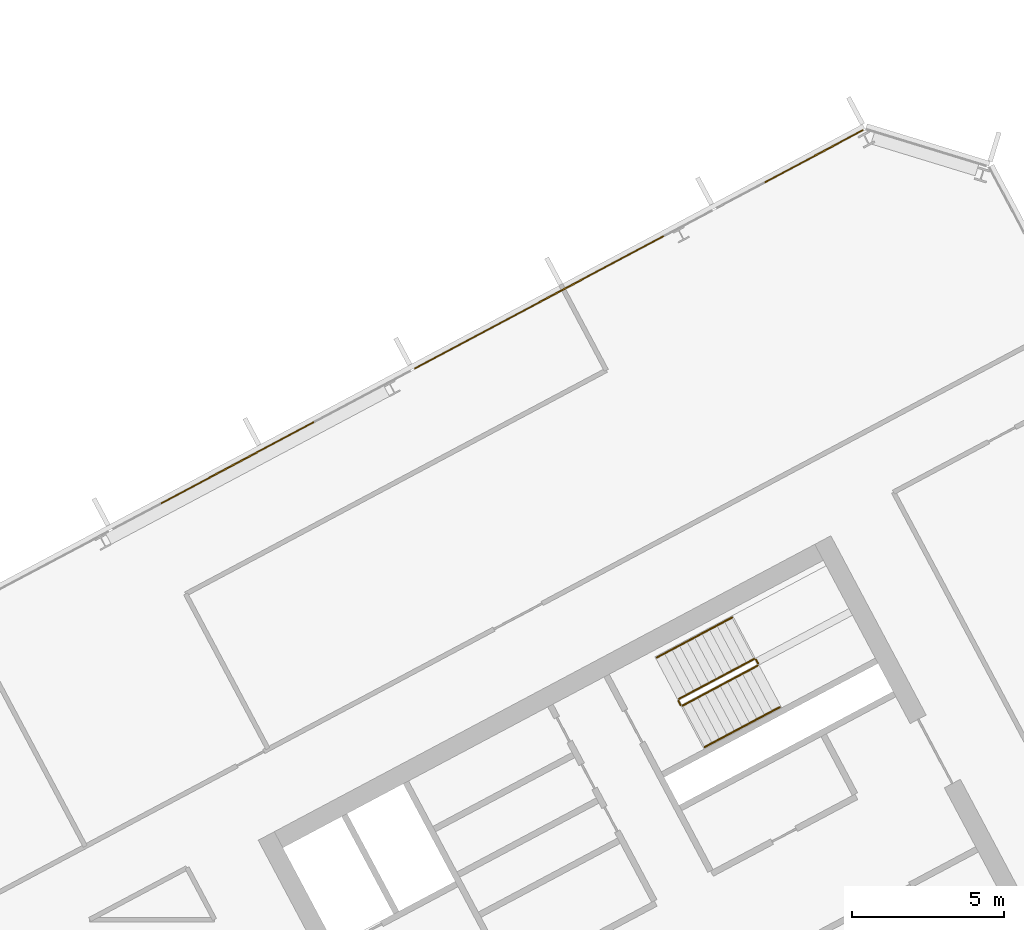
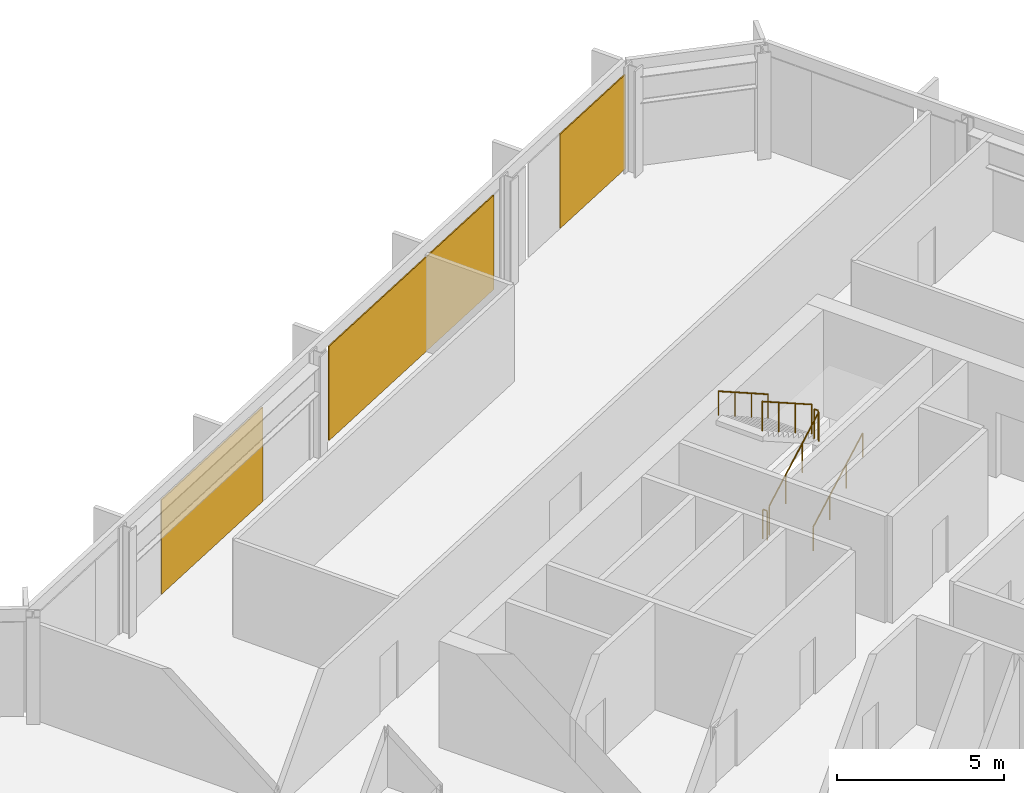
# One storey, part 26 of 27: 6 railings, 3 coverings, 1 element without a shape of its own.
"""IFC4 building model written with IfcOpenShell, lengths in metres."""

from ifc_helpers import new_model, si_unit, direction, frame, origin, origin_2d, place, context, subcontext, project, spatial, polyline, rectangle, outline, extrude, material, layer, layer_set, type_object, element, aggregate, save


model = new_model("IFC4")

# Units and contexts
model_context = context("Model", 3, precision=1e-05, world=origin(), true_north=direction((0.0, 1.0)))
body_context = subcontext(model_context, "Body", "Model", "MODEL_VIEW")
ifc_project = project(units=[si_unit("LENGTHUNIT", "METRE"), si_unit("AREAUNIT", "SQUARE_METRE"), si_unit("VOLUMEUNIT", "CUBIC_METRE"), si_unit("PLANEANGLEUNIT", "RADIAN"), si_unit("MASSUNIT", "GRAM", prefix="KILO")], contexts=[model_context])

# Site, building, storey
site_placement = place(None, origin())
site = spatial("IfcSite", under=ifc_project, at=site_placement, CompositionType="ELEMENT")
building_placement = place(site_placement, origin())
building = spatial("IfcBuilding", under=site, at=building_placement, Name="Cormorant Relay Tower", CompositionType="ELEMENT")
storey_placement = place(building_placement, frame((0.0, 0.0, 224.699951171875)))
storey = spatial("IfcBuildingStorey", under=building, at=storey_placement, Name="L49", CompositionType="ELEMENT", Elevation=224.699951171875)

# Curtain wall, coverings
ifc_material_1 = material(Name="Aluminium 6063-T6 anodised bronze", Category="aluminium")
ifc_layer_1 = layer(ifc_material_1, 0.199951171875)
ifc_layer_set_1 = layer_set([ifc_layer_1], Name="CW1 unitised bronze curtain wall with vertical fins")
curtain_wall_type = type_object("IfcCurtainWallType", Name="CW1 unitised bronze curtain wall with vertical fins", PredefinedType="NOTDEFINED", material=ifc_layer_set_1)
curtain_wall_placement = place(storey_placement, origin())
curtain_wall = element("IfcCurtainWall", 1, at=curtain_wall_placement, inside=storey, type_object=curtain_wall_type, Name="CW1 curtain wall 8", PredefinedType="NOTDEFINED")
ifc_material_2 = material(Name="Pale bronze anodised aluminium insulated panel", Category="aluminium")
ifc_layer_2 = layer(ifc_material_2, 0.0400390625)
ifc_layer_set_2 = layer_set([ifc_layer_2], Name="CW1 pale bronze insulated panel 40")
covering_type = type_object("IfcCoveringType", Name="CW1 pale bronze insulated panel 40", PredefinedType="CLADDING", material=ifc_layer_set_2)
covering_1_placement = place(storey_placement, frame((28.16943359375, 38.78466796875, 0.0), z_axis=(0.0, 0.0, 1.0), x_axis=(-0.882947592859, -0.469471562786, 0.0)))
covering_1 = element("IfcCovering", 2, at=covering_1_placement, type_object=covering_type, Name="CW1 panel S00", PredefinedType="CLADDING", context=body_context, shape_type="SweptSolid", body=[
    extrude(rectangle(XDim=3.68896484375, YDim=0.0400390625, at=origin_2d()), origin(), (0.0, 0.0, 1.0), 3.449951171875),
])
covering_2_placement = place(storey_placement, frame((19.11181640625, 33.968505859375, 0.0), z_axis=(0.0, 0.0, 1.0), x_axis=(-0.882947592859, -0.469471562786, 0.0)))
covering_2 = element("IfcCovering", 3, at=covering_2_placement, type_object=covering_type, Name="CW1 panel S03", PredefinedType="CLADDING", context=body_context, shape_type="SweptSolid", body=[
    extrude(rectangle(XDim=9.327880859375, YDim=0.0400390625, at=origin_2d()), origin(), (0.0, 0.0, 1.0), 3.449951171875),
])
covering_3_placement = place(storey_placement, frame((9.15380859375, 28.673828125, 0.0), z_axis=(0.0, 0.0, 1.0), x_axis=(-0.882947592859, -0.469471562786, 0.0)))
covering_3 = element("IfcCovering", 4, at=covering_3_placement, type_object=covering_type, Name="CW1 panel S05", PredefinedType="CLADDING", context=body_context, shape_type="SweptSolid", body=[
    extrude(rectangle(XDim=5.72802734375, YDim=0.0400390625, at=origin_2d()), origin(), (0.0, 0.0, 1.0), 3.449951171875),
])
aggregate(curtain_wall, [covering_1, covering_2, covering_3])

# Railings
ifc_material_3 = material(Name="Steel ASTM A572 Grade 50 (Fy 345 MPa)", Category="steel")
railing_type_1 = type_object("IfcRailingType", Name="Stair guard 1100", PredefinedType="GUARDRAIL", material=ifc_material_3)
railing_1_placement = place(storey_placement, frame((23.8408203125, 20.6611328125, 0.17724609375)))
element("IfcRailing", 5, at=railing_1_placement, inside=storey, type_object=railing_type_1, Name="L49 B2 stair guard 1", PredefinedType="GUARDRAIL", context=body_context, shape_type="SweptSolid", body=[
    extrude(outline(polyline([(0.022216796875, 0.00927734375), (0.00927734375, 0.022216796875), (-0.00927734375, 0.022216796875), (-0.022216796875, 0.00927734375), (-0.022216796875, -0.00927734375), (-0.00927734375, -0.022216796875), (0.00927734375, -0.022216796875), (0.022216796875, -0.00927734375), (0.022216796875, 0.00927734375)])), frame((0.0, 0.0, 1.076171875), z_axis=(0.746033882577, 0.396627473466, 0.534901947407), x_axis=(-0.469429322983, 0.882970050864, 0.0)), (0.0, 0.0, 1.0), 3.31396484375),
    extrude(outline(polyline([(0.019287109375, 0.008056640625), (0.008056640625, 0.019287109375), (-0.008056640625, 0.019287109375), (-0.019287109375, 0.008056640625), (-0.019287109375, -0.008056640625), (-0.008056640625, -0.019287109375), (0.008056640625, -0.019287109375), (0.019287109375, -0.008056640625), (0.019287109375, 0.008056640625)])), origin(), (0.0, 0.0, 1.0), 1.052001953125),
    extrude(outline(polyline([(0.019287109375, 0.008056640625), (0.008056640625, 0.019287109375), (-0.008056640625, 0.019287109375), (-0.019287109375, 0.008056640625), (-0.019287109375, -0.008056640625), (-0.008056640625, -0.019287109375), (0.008056640625, -0.019287109375), (0.019287109375, -0.008056640625), (0.019287109375, 0.008056640625)])), frame((0.82421875, 0.438232421875, 0.5908203125)), (0.0, 0.0, 1.0), 1.052001953125),
    extrude(outline(polyline([(0.019287109375, 0.008056640625), (0.008056640625, 0.019287109375), (-0.008056640625, 0.019287109375), (-0.019287109375, 0.008056640625), (-0.019287109375, -0.008056640625), (-0.008056640625, -0.019287109375), (0.008056640625, -0.019287109375), (0.019287109375, -0.008056640625), (0.019287109375, 0.008056640625)])), frame((1.648193359375, 0.876220703125, 1.181884765625)), (0.0, 0.0, 1.0), 1.052001953125),
    extrude(outline(polyline([(0.019287109375, 0.008056640625), (0.008056640625, 0.019287109375), (-0.008056640625, 0.019287109375), (-0.019287109375, 0.008056640625), (-0.019287109375, -0.008056640625), (-0.008056640625, -0.019287109375), (0.008056640625, -0.019287109375), (0.019287109375, -0.008056640625), (0.019287109375, 0.008056640625)])), frame((2.472412109375, 1.314453125, 1.772705078125)), (0.0, 0.0, 1.0), 1.052001953125),
])
railing_2_placement = place(storey_placement, frame((26.333740234375, 22.043212890625, 1.949951171875)))
element("IfcRailing", 6, at=railing_2_placement, inside=storey, type_object=railing_type_1, Name="L49 B2 stair guard 2", PredefinedType="GUARDRAIL", context=body_context, shape_type="SweptSolid", body=[
    extrude(outline(polyline([(0.022216796875, 0.00927734375), (0.00927734375, 0.022216796875), (-0.00927734375, 0.022216796875), (-0.022216796875, 0.00927734375), (-0.022216796875, -0.00927734375), (-0.00927734375, -0.022216796875), (0.00927734375, -0.022216796875), (0.022216796875, -0.00927734375), (0.022216796875, 0.00927734375)])), frame((0.0, 0.0, 1.076171875), z_axis=(-0.469234640946, 0.883073525669, 0.0), x_axis=(-0.883073525669, -0.469234640946, 0.0)), (0.0, 0.0, 1.0), 0.14990234375),
    extrude(outline(polyline([(0.019287109375, 0.008056640625), (0.008056640625, 0.019287109375), (-0.008056640625, 0.019287109375), (-0.019287109375, 0.008056640625), (-0.019287109375, -0.008056640625), (-0.008056640625, -0.019287109375), (0.008056640625, -0.019287109375), (0.019287109375, -0.008056640625), (0.019287109375, 0.008056640625)])), origin(), (0.0, 0.0, 1.0), 1.052001953125),
    extrude(outline(polyline([(0.019287109375, 0.008056640625), (0.008056640625, 0.019287109375), (-0.008056640625, 0.019287109375), (-0.019287109375, 0.008056640625), (-0.019287109375, -0.008056640625), (-0.008056640625, -0.019287109375), (0.008056640625, -0.019287109375), (0.019287109375, -0.008056640625), (0.019287109375, 0.008056640625)])), frame((-0.0703125, 0.13232421875, 0.0)), (0.0, 0.0, 1.0), 1.052001953125),
])
railing_3_placement = place(storey_placement, frame((26.19580078125, 22.1962890625, 2.12744140625)))
element("IfcRailing", 7, at=railing_3_placement, inside=storey, type_object=railing_type_1, Name="L49 B2 stair guard 3", PredefinedType="GUARDRAIL", context=body_context, shape_type="SweptSolid", body=[
    extrude(outline(polyline([(0.022216796875, 0.00927734375), (0.00927734375, 0.022216796875), (-0.00927734375, 0.022216796875), (-0.022216796875, 0.00927734375), (-0.022216796875, -0.00927734375), (-0.00927734375, -0.022216796875), (0.00927734375, -0.022216796875), (0.022216796875, -0.00927734375), (0.022216796875, 0.00927734375)])), frame((0.0, 0.0, 1.076171875), z_axis=(-0.746033882577, -0.396627473466, 0.534901947407), x_axis=(0.469429322983, -0.882970050864, 0.0)), (0.0, 0.0, 1.0), 3.31396484375),
    extrude(outline(polyline([(0.019287109375, 0.008056640625), (0.008056640625, 0.019287109375), (-0.008056640625, 0.019287109375), (-0.019287109375, 0.008056640625), (-0.019287109375, -0.008056640625), (-0.008056640625, -0.019287109375), (0.008056640625, -0.019287109375), (0.019287109375, -0.008056640625), (0.019287109375, 0.008056640625)])), origin(), (0.0, 0.0, 1.0), 1.052001953125),
    extrude(outline(polyline([(0.019287109375, 0.008056640625), (0.008056640625, 0.019287109375), (-0.008056640625, 0.019287109375), (-0.019287109375, 0.008056640625), (-0.019287109375, -0.008056640625), (-0.008056640625, -0.019287109375), (0.008056640625, -0.019287109375), (0.019287109375, -0.008056640625), (0.019287109375, 0.008056640625)])), frame((-0.82421875, -0.438232421875, 0.5908203125)), (0.0, 0.0, 1.0), 1.052001953125),
    extrude(outline(polyline([(0.019287109375, 0.008056640625), (0.008056640625, 0.019287109375), (-0.008056640625, 0.019287109375), (-0.019287109375, 0.008056640625), (-0.019287109375, -0.008056640625), (-0.008056640625, -0.019287109375), (0.008056640625, -0.019287109375), (0.019287109375, -0.008056640625), (0.019287109375, 0.008056640625)])), frame((-1.648193359375, -0.876220703125, 1.181884765625)), (0.0, 0.0, 1.0), 1.052001953125),
    extrude(outline(polyline([(0.019287109375, 0.008056640625), (0.008056640625, 0.019287109375), (-0.008056640625, 0.019287109375), (-0.019287109375, 0.008056640625), (-0.019287109375, -0.008056640625), (-0.008056640625, -0.019287109375), (0.008056640625, -0.019287109375), (0.019287109375, -0.008056640625), (0.019287109375, 0.008056640625)])), frame((-2.472412109375, -1.314453125, 1.772705078125)), (0.0, 0.0, 1.0), 1.052001953125),
])
railing_4_placement = place(storey_placement, frame((23.773193359375, 20.681640625, 0.0)))
element("IfcRailing", 8, at=railing_4_placement, inside=storey, type_object=railing_type_1, Name="L49 B2 stair guard 4", PredefinedType="GUARDRAIL", context=body_context, shape_type="SweptSolid", body=[
    extrude(outline(polyline([(0.022216796875, 0.00927734375), (0.00927734375, 0.022216796875), (-0.00927734375, 0.022216796875), (-0.022216796875, 0.00927734375), (-0.022216796875, -0.00927734375), (-0.00927734375, -0.022216796875), (0.00927734375, -0.022216796875), (0.022216796875, -0.00927734375), (0.022216796875, 0.00927734375)])), frame((0.0, 0.0, 1.076171875), z_axis=(-0.46856034887, 0.8834314911, 0.0), x_axis=(-0.8834314911, -0.46856034887, 0.0)), (0.0, 0.0, 1.0), 0.150146484375),
    extrude(outline(polyline([(0.019287109375, 0.008056640625), (0.008056640625, 0.019287109375), (-0.008056640625, 0.019287109375), (-0.019287109375, 0.008056640625), (-0.019287109375, -0.008056640625), (-0.008056640625, -0.019287109375), (0.008056640625, -0.019287109375), (0.019287109375, -0.008056640625), (0.019287109375, 0.008056640625)])), origin(), (0.0, 0.0, 1.0), 1.052001953125),
    extrude(outline(polyline([(0.019287109375, 0.008056640625), (0.008056640625, 0.019287109375), (-0.008056640625, 0.019287109375), (-0.019287109375, 0.008056640625), (-0.019287109375, -0.008056640625), (-0.008056640625, -0.019287109375), (0.008056640625, -0.019287109375), (0.019287109375, -0.008056640625), (0.019287109375, 0.008056640625)])), frame((-0.0703125, 0.132568359375, 0.0)), (0.0, 0.0, 1.0), 1.052001953125),
])
ifc_material_4 = material(Name="Steel ASTM A572 Grade 50 (Fy 345 MPa)", Category="steel")
railing_type_2 = type_object("IfcRailingType", Name="Stair handrail 900", PredefinedType="HANDRAIL", material=ifc_material_4)
railing_5_placement = place(storey_placement, frame((24.568603515625, 19.29248046875, 0.17724609375)))
element("IfcRailing", 9, at=railing_5_placement, inside=storey, type_object=railing_type_2, Name="L49 B2 stair handrail 1", PredefinedType="HANDRAIL", context=body_context, shape_type="SweptSolid", body=[
    extrude(outline(polyline([(0.022216796875, 0.00927734375), (0.00927734375, 0.022216796875), (-0.00927734375, 0.022216796875), (-0.022216796875, 0.00927734375), (-0.022216796875, -0.00927734375), (-0.00927734375, -0.022216796875), (0.00927734375, -0.022216796875), (0.022216796875, -0.00927734375), (0.022216796875, 0.00927734375)])), frame((0.0, 0.0, 0.8759765625), z_axis=(0.746001213114, 0.396649272309, 0.534931345884), x_axis=(-0.469465464807, 0.882950835185, 0.0)), (0.0, 0.0, 1.0), 3.31396484375),
    extrude(outline(polyline([(0.019287109375, 0.008056640625), (0.008056640625, 0.019287109375), (-0.008056640625, 0.019287109375), (-0.019287109375, 0.008056640625), (-0.019287109375, -0.008056640625), (-0.008056640625, -0.019287109375), (0.008056640625, -0.019287109375), (0.019287109375, -0.008056640625), (0.019287109375, 0.008056640625)])), origin(), (0.0, 0.0, 1.0), 0.851806640625),
    extrude(outline(polyline([(0.019287109375, 0.008056640625), (0.008056640625, 0.019287109375), (-0.008056640625, 0.019287109375), (-0.019287109375, 0.008056640625), (-0.019287109375, -0.008056640625), (-0.008056640625, -0.019287109375), (0.008056640625, -0.019287109375), (0.019287109375, -0.008056640625), (0.019287109375, 0.008056640625)])), frame((0.823974609375, 0.438232421875, 0.5908203125)), (0.0, 0.0, 1.0), 0.851806640625),
    extrude(outline(polyline([(0.019287109375, 0.008056640625), (0.008056640625, 0.019287109375), (-0.008056640625, 0.019287109375), (-0.019287109375, 0.008056640625), (-0.019287109375, -0.008056640625), (-0.008056640625, -0.019287109375), (0.008056640625, -0.019287109375), (0.019287109375, -0.008056640625), (0.019287109375, 0.008056640625)])), frame((1.648193359375, 0.876220703125, 1.181884765625)), (0.0, 0.0, 1.0), 0.851806640625),
    extrude(outline(polyline([(0.019287109375, 0.008056640625), (0.008056640625, 0.019287109375), (-0.008056640625, 0.019287109375), (-0.019287109375, 0.008056640625), (-0.019287109375, -0.008056640625), (-0.008056640625, -0.019287109375), (0.008056640625, -0.019287109375), (0.019287109375, -0.008056640625), (0.019287109375, 0.008056640625)])), frame((2.47216796875, 1.314453125, 1.772705078125)), (0.0, 0.0, 1.0), 0.851806640625),
])
railing_6_placement = place(storey_placement, frame((25.468017578125, 23.56494140625, 2.12744140625)))
element("IfcRailing", 10, at=railing_6_placement, inside=storey, type_object=railing_type_2, Name="L49 B2 stair handrail 2", PredefinedType="HANDRAIL", context=body_context, shape_type="SweptSolid", body=[
    extrude(outline(polyline([(0.022216796875, 0.00927734375), (0.00927734375, 0.022216796875), (-0.00927734375, 0.022216796875), (-0.022216796875, 0.00927734375), (-0.022216796875, -0.00927734375), (-0.00927734375, -0.022216796875), (0.00927734375, -0.022216796875), (0.022216796875, -0.00927734375), (0.022216796875, 0.00927734375)])), frame((0.0, 0.0, 0.8759765625), z_axis=(-0.745979412481, -0.396711350603, 0.534915713414), x_axis=(0.469533439143, -0.882914689835, 0.0)), (0.0, 0.0, 1.0), 3.31396484375),
    extrude(outline(polyline([(0.019287109375, 0.008056640625), (0.008056640625, 0.019287109375), (-0.008056640625, 0.019287109375), (-0.019287109375, 0.008056640625), (-0.019287109375, -0.008056640625), (-0.008056640625, -0.019287109375), (0.008056640625, -0.019287109375), (0.019287109375, -0.008056640625), (0.019287109375, 0.008056640625)])), origin(), (0.0, 0.0, 1.0), 0.851806640625),
    extrude(outline(polyline([(0.019287109375, 0.008056640625), (0.008056640625, 0.019287109375), (-0.008056640625, 0.019287109375), (-0.019287109375, 0.008056640625), (-0.019287109375, -0.008056640625), (-0.008056640625, -0.019287109375), (0.008056640625, -0.019287109375), (0.019287109375, -0.008056640625), (0.019287109375, 0.008056640625)])), frame((-0.823974609375, -0.438232421875, 0.5908203125)), (0.0, 0.0, 1.0), 0.851806640625),
    extrude(outline(polyline([(0.019287109375, 0.008056640625), (0.008056640625, 0.019287109375), (-0.008056640625, 0.019287109375), (-0.019287109375, 0.008056640625), (-0.019287109375, -0.008056640625), (-0.008056640625, -0.019287109375), (0.008056640625, -0.019287109375), (0.019287109375, -0.008056640625), (0.019287109375, 0.008056640625)])), frame((-1.648193359375, -0.87646484375, 1.181884765625)), (0.0, 0.0, 1.0), 0.851806640625),
    extrude(outline(polyline([(0.019287109375, 0.008056640625), (0.008056640625, 0.019287109375), (-0.008056640625, 0.019287109375), (-0.019287109375, 0.008056640625), (-0.019287109375, -0.008056640625), (-0.008056640625, -0.019287109375), (0.008056640625, -0.019287109375), (0.019287109375, -0.008056640625), (0.019287109375, 0.008056640625)])), frame((-2.47216796875, -1.314697265625, 1.772705078125)), (0.0, 0.0, 1.0), 0.851806640625),
])

save(model, "model.ifc")
